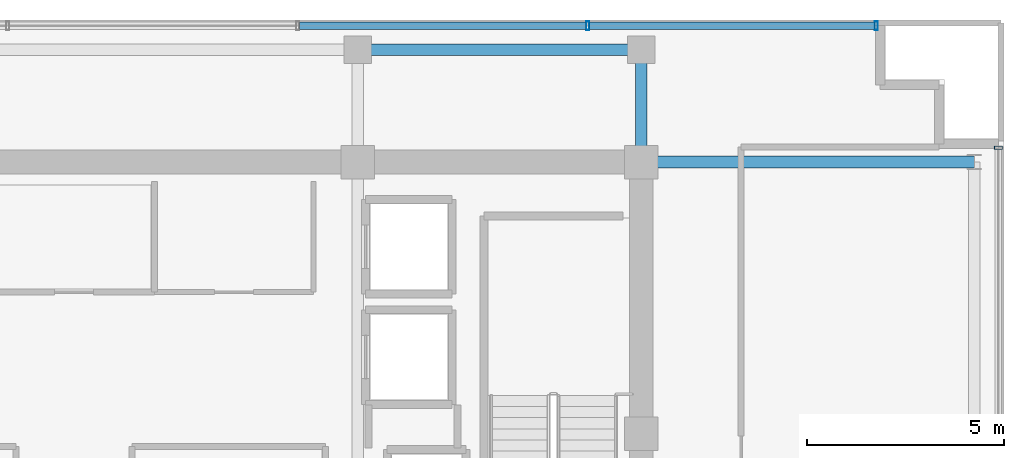
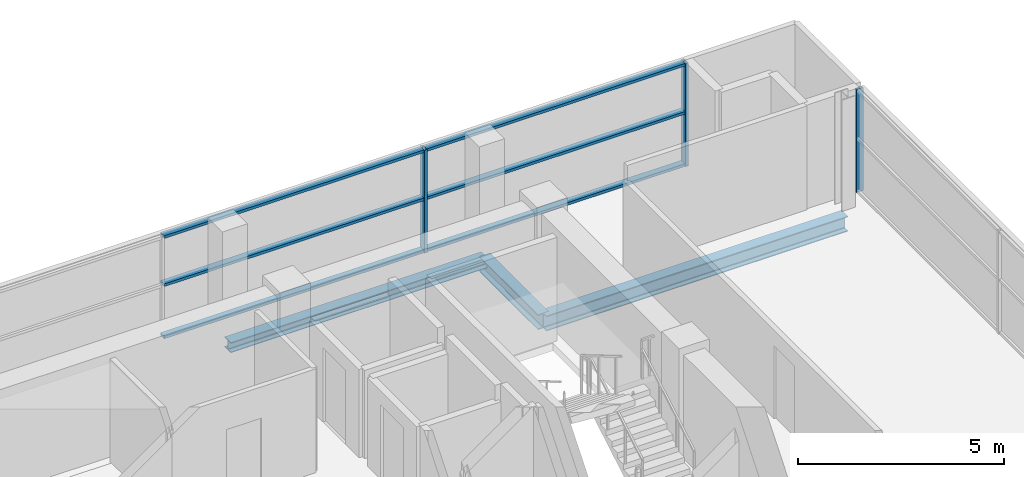
# One storey, part 13 of 21: 9 members, 3 beams, 2 elements without a shape of their own.
"""IFC4 building model written with IfcOpenShell, lengths in metres."""

from ifc_helpers import new_model, si_unit, direction, frame, origin, origin_2d, place, context, subcontext, project, spatial, hollow_rectangle, i_section, extrude, source, transform, mapped, material, layer, layer_set, material_profile, profile_set, type_object, element, aggregate, save


model = new_model("IFC4")

# Units and contexts
model_context = context("Model", 3, precision=1e-05, world=origin(), true_north=direction((0.0, 1.0)))
body_context = subcontext(model_context, "Body", "Model", "MODEL_VIEW")
ifc_project = project(units=[si_unit("LENGTHUNIT", "METRE"), si_unit("AREAUNIT", "SQUARE_METRE"), si_unit("VOLUMEUNIT", "CUBIC_METRE"), si_unit("PLANEANGLEUNIT", "RADIAN"), si_unit("MASSUNIT", "GRAM", prefix="KILO")], contexts=[model_context])

# Site, building, storey
site_placement = place(None, origin())
site = spatial("IfcSite", under=ifc_project, at=site_placement, CompositionType="ELEMENT")
building_placement = place(site_placement, origin())
building = spatial("IfcBuilding", under=site, at=building_placement, Name="Zarnakvel Exchange Tower", CompositionType="ELEMENT")
storey_placement = place(building_placement, frame((0.0, 0.0, 248.5)))
storey = spatial("IfcBuildingStorey", under=building, at=storey_placement, Name="L70", CompositionType="ELEMENT", Elevation=248.5)

# Beams
ifc_material_1 = material(Name="Steel S355", Category="steel")
ifc_material_profile_1 = material_profile(ifc_material_1, i_section(OverallWidth=0.300048828125, OverallDepth=0.449951171875, WebThickness=0.013916015625, FlangeThickness=0.02587890625, FilletRadius=0.027099609375, at=origin_2d()))
ifc_profile_set_1 = profile_set([ifc_material_profile_1], Name="Steel S355")
beam_type_1 = type_object("IfcBeamType", Name="G-07", PredefinedType="BEAM", material=ifc_profile_set_1)
beam_1_placement = place(storey_placement, frame((14.39990234375, 13.5, -0.449951171875), z_axis=(1.0, 0.0, 0.0), x_axis=(0.0, 1.0, 0.0)))
element("IfcBeam", 1, at=beam_1_placement, inside=storey, type_object=beam_type_1, Name="L70 Tower E-W Frame Beam", PredefinedType="BEAM", context=body_context, shape_type="SweptSolid", body=[
    extrude(i_section(OverallWidth=0.300048828125, OverallDepth=0.449951171875, WebThickness=0.013916015625, FlangeThickness=0.02587890625, FilletRadius=0.027099609375, at=origin_2d()), origin(), (0.0, 0.0, 1.0), 8.4501953125),
])
beam_2_placement = place(storey_placement, frame((14.39990234375, 13.5, -0.449951171875), z_axis=(0.0, 1.0, 0.0), x_axis=(-1.0, 0.0, 0.0)))
element("IfcBeam", 2, at=beam_2_placement, inside=storey, type_object=beam_type_1, Name="L70 Tower N-S Frame Beam", PredefinedType="BEAM", context=body_context, shape_type="SweptSolid", body=[
    extrude(i_section(OverallWidth=0.300048828125, OverallDepth=0.449951171875, WebThickness=0.013916015625, FlangeThickness=0.02587890625, FilletRadius=0.027099609375, at=origin_2d()), origin(), (0.0, 0.0, 1.0), 2.85009765625),
])
ifc_material_profile_2 = material_profile(ifc_material_1, i_section(OverallWidth=0.300048828125, OverallDepth=0.300048828125, WebThickness=0.010986328125, FlangeThickness=0.01904296875, FilletRadius=0.027099609375, at=origin_2d()))
ifc_profile_set_2 = profile_set([ifc_material_profile_2], Name="Steel S355")
beam_type_2 = type_object("IfcBeamType", Name="SP-03", PredefinedType="SPANDREL", material=ifc_profile_set_2)
beam_3_placement = place(storey_placement, frame((7.199951171875, 16.35009765625, -0.375), z_axis=(1.0, 0.0, 0.0), x_axis=(0.0, 1.0, 0.0)))
element("IfcBeam", 3, at=beam_3_placement, inside=storey, type_object=beam_type_2, Name="L70 Tower E-W Frame Beam", PredefinedType="SPANDREL", context=body_context, shape_type="SweptSolid", body=[
    extrude(i_section(OverallWidth=0.300048828125, OverallDepth=0.300048828125, WebThickness=0.010986328125, FlangeThickness=0.01904296875, FilletRadius=0.027099609375, at=origin_2d()), origin(), (0.0, 0.0, 1.0), 7.199951171875),
])

# Curtain wall, member
ifc_material_2 = material(Name="Architectural Bronze Anodised Aluminium", Category="aluminium")
ifc_layer_1 = layer(ifc_material_2, 0.199951171875)
ifc_layer_set_1 = layer_set([ifc_layer_1], Name="Architectural Bronze Anodised Aluminium")
curtain_wall_type_1 = type_object("IfcCurtainWallType", Name="CW-04", PredefinedType="NOTDEFINED", material=ifc_layer_set_1)
curtain_wall_1_placement = place(storey_placement, origin())
curtain_wall_1 = element("IfcCurtainWall", 4, at=curtain_wall_1_placement, inside=storey, type_object=curtain_wall_type_1, Name="L70 Curtain Wall CW-L70-E1 (CW-04)", PredefinedType="NOTDEFINED")
ifc_material_profile_3 = material_profile(ifc_material_2, hollow_rectangle(XDim=0.199951171875, YDim=0.074951171875, WallThickness=0.0048828125, at=origin_2d()))
ifc_profile_set_3 = profile_set([ifc_material_profile_3], Name="Architectural Bronze Anodised Aluminium")
member_type_1 = type_object("IfcMemberType", Name="CWM-04", PredefinedType="MULLION", material=ifc_profile_set_3)
shared_shape_1 = source(origin(), body_context, "Body", "SweptSolid", [
    extrude(hollow_rectangle(XDim=0.199951171875, YDim=0.074951171875, WallThickness=0.0048828125, at=origin_2d()), origin(), (0.0, 0.0, 1.0), 3.054931640625),
])
member_1_placement = place(storey_placement, frame((23.4599609375, 13.862548828125, 0.0), z_axis=(0.0, 0.0, 1.0), x_axis=(-1.0, 0.0, 0.0)))
member_1 = element("IfcMember", 5, at=member_1_placement, type_object=member_type_1, Name="CW-04 mullion 5", PredefinedType="MULLION", context=body_context, shape_type="MappedRepresentation", body=[
    mapped(shared_shape_1, transform((0.0, 0.0, 0.0), x_axis=(1.0, 0.0, 0.0), y_axis=(0.0, 1.0, 0.0), z_axis=(0.0, 0.0, 1.0), scale=1.0)),
])
aggregate(curtain_wall_1, [member_1])

# Curtain wall, members
ifc_layer_2 = layer(ifc_material_2, 0.219970703125)
ifc_layer_set_2 = layer_set([ifc_layer_2], Name="Architectural Bronze Anodised Aluminium")
curtain_wall_type_2 = type_object("IfcCurtainWallType", Name="CW-03", PredefinedType="NOTDEFINED", material=ifc_layer_set_2)
curtain_wall_2_placement = place(storey_placement, origin())
curtain_wall_2 = element("IfcCurtainWall", 6, at=curtain_wall_2_placement, inside=storey, type_object=curtain_wall_type_2, Name="L70 Curtain Wall CW-L70-N1 (CW-03)", PredefinedType="NOTDEFINED")
ifc_material_profile_4 = material_profile(ifc_material_2, hollow_rectangle(XDim=0.219970703125, YDim=0.080078125, WallThickness=0.0048828125, at=origin_2d()))
ifc_profile_set_4 = profile_set([ifc_material_profile_4], Name="Architectural Bronze Anodised Aluminium")
member_type_2 = type_object("IfcMemberType", Name="CWM-03", PredefinedType="MULLION", material=ifc_profile_set_4)
shared_shape_2 = source(origin(), body_context, "Body", "SweptSolid", [
    extrude(hollow_rectangle(XDim=0.219970703125, YDim=0.080078125, WallThickness=0.0048828125, at=origin_2d()), origin(), (0.0, 0.0, 1.0), 3.054931640625),
])
member_2_placement = place(storey_placement, frame((13.0400390625, 16.9599609375, 0.0), z_axis=(0.0, 0.0, 1.0), x_axis=(0.0, 1.0, 0.0)))
member_2 = element("IfcMember", 7, at=member_2_placement, type_object=member_type_2, Name="CW-03 mullion 5", PredefinedType="MULLION", context=body_context, shape_type="MappedRepresentation", body=[
    mapped(shared_shape_2, transform((0.0, 0.0, 0.0), x_axis=(1.0, 0.0, 0.0), y_axis=(0.0, 1.0, 0.0), z_axis=(0.0, 0.0, 1.0), scale=1.0)),
])
member_3_placement = place(storey_placement, frame((20.360107421875, 16.9599609375, 0.0), z_axis=(0.0, 0.0, 1.0), x_axis=(0.0, 1.0, 0.0)))
member_3 = element("IfcMember", 8, at=member_3_placement, type_object=member_type_2, Name="CW-03 mullion 6", PredefinedType="MULLION", context=body_context, shape_type="MappedRepresentation", body=[
    mapped(shared_shape_2, transform((0.0, 0.0, 0.0), x_axis=(1.0, 0.0, 0.0), y_axis=(0.0, 1.0, 0.0), z_axis=(0.0, 0.0, 1.0), scale=1.0)),
])
ifc_material_profile_5 = material_profile(ifc_material_2, hollow_rectangle(XDim=0.179931640625, YDim=0.080078125, WallThickness=0.00390625, at=origin_2d()))
ifc_profile_set_5 = profile_set([ifc_material_profile_5], Name="Architectural Bronze Anodised Aluminium")
member_type_3 = type_object("IfcMemberType", Name="CWT-03", PredefinedType="USERDEFINED", material=ifc_profile_set_5)
shared_shape_3 = source(origin(), body_context, "Body", "SweptSolid", [
    extrude(hollow_rectangle(XDim=0.179931640625, YDim=0.080078125, WallThickness=0.00390625, at=origin_2d()), origin(), (0.0, 0.0, 1.0), 7.239990234375),
])
member_4_placement = place(storey_placement, frame((13.080078125, 16.9599609375, 0.0400390625), z_axis=(1.0, 0.0, 0.0), x_axis=(0.0, 1.0, 0.0)))
member_4 = element("IfcMember", 9, at=member_4_placement, type_object=member_type_3, Name="CW-03 transom 5.1", ObjectType="TRANSOM", PredefinedType="USERDEFINED", context=body_context, shape_type="MappedRepresentation", body=[
    mapped(shared_shape_3, transform((0.0, 0.0, 0.0), x_axis=(1.0, 0.0, 0.0), y_axis=(0.0, 1.0, 0.0), z_axis=(0.0, 0.0, 1.0), scale=1.0)),
])
member_5_placement = place(storey_placement, frame((13.080078125, 16.9599609375, 1.588623046875), z_axis=(1.0, 0.0, 0.0), x_axis=(0.0, 1.0, 0.0)))
member_5 = element("IfcMember", 10, at=member_5_placement, type_object=member_type_3, Name="CW-03 transom 5.2", ObjectType="TRANSOM", PredefinedType="USERDEFINED", context=body_context, shape_type="MappedRepresentation", body=[
    mapped(shared_shape_3, transform((0.0, 0.0, 0.0), x_axis=(1.0, 0.0, 0.0), y_axis=(0.0, 1.0, 0.0), z_axis=(0.0, 0.0, 1.0), scale=1.0)),
])
member_6_placement = place(storey_placement, frame((13.080078125, 16.9599609375, 3.014892578125), z_axis=(1.0, 0.0, 0.0), x_axis=(0.0, 1.0, 0.0)))
member_6 = element("IfcMember", 11, at=member_6_placement, type_object=member_type_3, Name="CW-03 transom 5.3", ObjectType="TRANSOM", PredefinedType="USERDEFINED", context=body_context, shape_type="MappedRepresentation", body=[
    mapped(shared_shape_3, transform((0.0, 0.0, 0.0), x_axis=(1.0, 0.0, 0.0), y_axis=(0.0, 1.0, 0.0), z_axis=(0.0, 0.0, 1.0), scale=1.0)),
])
shared_shape_4 = source(origin(), body_context, "Body", "SweptSolid", [
    extrude(hollow_rectangle(XDim=0.179931640625, YDim=0.080078125, WallThickness=0.00390625, at=origin_2d()), origin(), (0.0, 0.0, 1.0), 7.280029296875),
])
member_7_placement = place(storey_placement, frame((5.719970703125, 16.9599609375, 0.0400390625), z_axis=(1.0, 0.0, 0.0), x_axis=(0.0, 1.0, 0.0)))
member_7 = element("IfcMember", 12, at=member_7_placement, type_object=member_type_3, Name="CW-03 transom 4.1", ObjectType="TRANSOM", PredefinedType="USERDEFINED", context=body_context, shape_type="MappedRepresentation", body=[
    mapped(shared_shape_4, transform((0.0, 0.0, 0.0), x_axis=(1.0, 0.0, 0.0), y_axis=(0.0, 1.0, 0.0), z_axis=(0.0, 0.0, 1.0), scale=1.0)),
])
member_8_placement = place(storey_placement, frame((5.719970703125, 16.9599609375, 1.588623046875), z_axis=(1.0, 0.0, 0.0), x_axis=(0.0, 1.0, 0.0)))
member_8 = element("IfcMember", 13, at=member_8_placement, type_object=member_type_3, Name="CW-03 transom 4.2", ObjectType="TRANSOM", PredefinedType="USERDEFINED", context=body_context, shape_type="MappedRepresentation", body=[
    mapped(shared_shape_4, transform((0.0, 0.0, 0.0), x_axis=(1.0, 0.0, 0.0), y_axis=(0.0, 1.0, 0.0), z_axis=(0.0, 0.0, 1.0), scale=1.0)),
])
member_9_placement = place(storey_placement, frame((5.719970703125, 16.9599609375, 3.014892578125), z_axis=(1.0, 0.0, 0.0), x_axis=(0.0, 1.0, 0.0)))
member_9 = element("IfcMember", 14, at=member_9_placement, type_object=member_type_3, Name="CW-03 transom 4.3", ObjectType="TRANSOM", PredefinedType="USERDEFINED", context=body_context, shape_type="MappedRepresentation", body=[
    mapped(shared_shape_4, transform((0.0, 0.0, 0.0), x_axis=(1.0, 0.0, 0.0), y_axis=(0.0, 1.0, 0.0), z_axis=(0.0, 0.0, 1.0), scale=1.0)),
])
aggregate(curtain_wall_2, [member_2, member_3, member_7, member_8, member_9, member_4, member_5, member_6])

save(model, "model.ifc")
